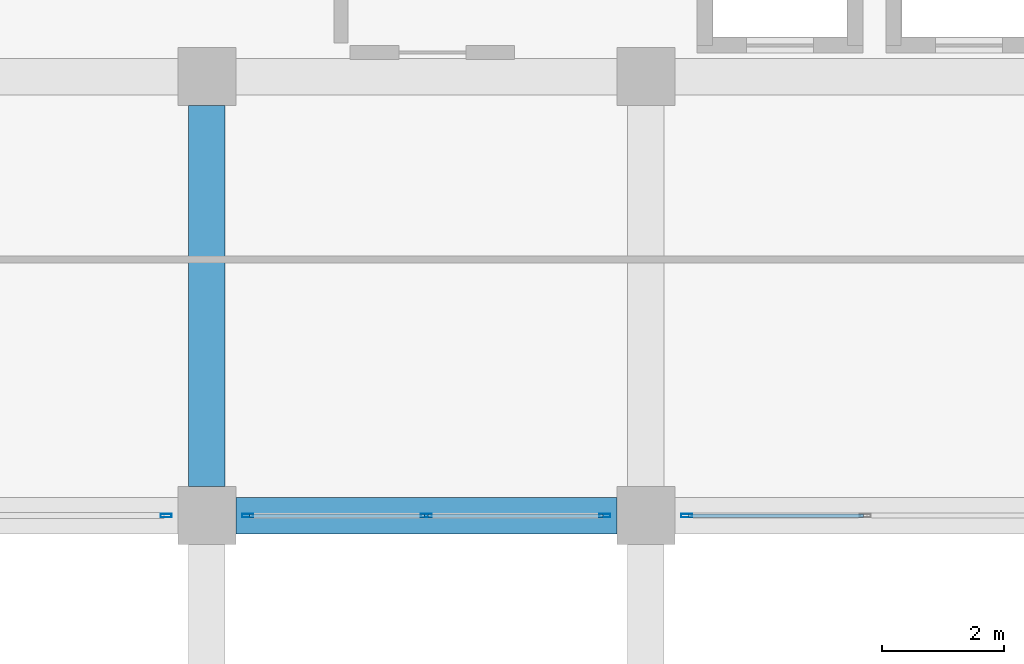
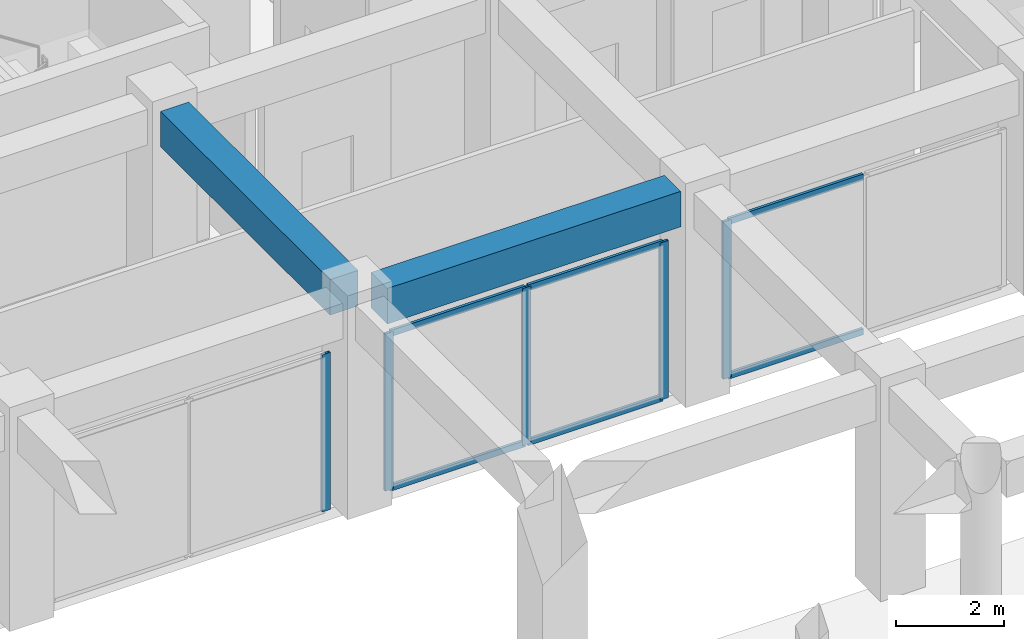
# One storey, part 10 of 54: 11 members, 2 beams, 3 elements without a shape of their own.
"""IFC4 building model written with IfcOpenShell, lengths in metres."""

from ifc_helpers import new_model, si_unit, direction, frame, origin, origin_2d, place, context, subcontext, project, spatial, rectangle, hollow_rectangle, extrude, material, material_profile, profile_set, type_object, element, aggregate, save


model = new_model("IFC4")

# Units and contexts
model_context = context("Model", 3, precision=1e-05, world=origin(), true_north=direction((0.0, 1.0)))
body_context = subcontext(model_context, "Body", "Model", "MODEL_VIEW")
ifc_project = project(units=[si_unit("LENGTHUNIT", "METRE"), si_unit("AREAUNIT", "SQUARE_METRE"), si_unit("VOLUMEUNIT", "CUBIC_METRE"), si_unit("PLANEANGLEUNIT", "RADIAN"), si_unit("MASSUNIT", "GRAM", prefix="KILO")], contexts=[model_context])

# Site, building, storey
site_placement = place(None, origin())
site = spatial("IfcSite", under=ifc_project, at=site_placement, CompositionType="ELEMENT")
building_placement = place(site_placement, origin())
building = spatial("IfcBuilding", under=site, at=building_placement, Name="Kazehaya Institute of Natural Sciences", CompositionType="ELEMENT")
storey_placement = place(building_placement, frame((0.0, 0.0, 5.39990234375)))
storey = spatial("IfcBuildingStorey", under=building, at=storey_placement, Name="L01", CompositionType="ELEMENT", Elevation=5.39990234375)

# Beams
ifc_material_1 = material(Name="Concrete Fc36", Category="concrete")
ifc_material_profile_1 = material_profile(ifc_material_1, rectangle(XDim=0.60009765625, YDim=0.800048828125, at=origin_2d()), Name="RC-600x800")
ifc_profile_set_1 = profile_set([ifc_material_profile_1], Name="Concrete Fc36")
beam_type = type_object("IfcBeamType", Name="BM-G-600x800", PredefinedType="BEAM", material=ifc_profile_set_1)
for number, where, z_axis, x_axis, name in (
    (1, (69.47509765625, 14.0, 4.3701171875), (1.0, 0.0, 0.0), (0.0, 1.0, 0.0), "L01 primary X girder BMX-L01-690-140"),
    (2, (69.0, 14.47509765625, 4.3701171875), (0.0, 1.0, 0.0), (-1.0, 0.0, 0.0), "L01 primary Y girder BMY-L01-690-140"),
):
    element("IfcBeam", number, at=place(storey_placement, frame(where, z_axis=z_axis, x_axis=x_axis)), inside=storey, type_object=beam_type, Name=name, PredefinedType="BEAM", context=body_context, shape_type="SweptSolid", body=[
        extrude(rectangle(XDim=0.60009765625, YDim=0.800048828125, at=origin_2d()), origin(), (0.0, 0.0, 1.0), 6.25),
    ])

# Curtain wall, member
ifc_material_2 = material(Name="Aluminium alloy A6063S-T5", Category="aluminium")
curtain_wall_type = type_object("IfcCurtainWallType", Name="CW-SYS-02", PredefinedType="NOTDEFINED", material=ifc_material_2)
curtain_wall_1_placement = place(storey_placement, origin())
curtain_wall_1 = element("IfcCurtainWall", 3, at=curtain_wall_1_placement, inside=storey, type_object=curtain_wall_type, Name="L01 unitised curtain wall CW-L01-044", PredefinedType="NOTDEFINED")
ifc_material_profile_2 = material_profile(ifc_material_2, hollow_rectangle(XDim=0.06005859375, YDim=0.179931640625, WallThickness=0.00390625, at=origin_2d()), Name="ALU-60x180x4")
ifc_profile_set_2 = profile_set([ifc_material_profile_2], Name="Aluminium alloy A6063S-T5")
member_type_1 = type_object("IfcMemberType", Name="CWM-180", PredefinedType="MULLION", material=ifc_profile_set_2)
member_1_placement = place(storey_placement, frame((76.8701171875, 14.0, 0.0), z_axis=(0.0, 0.0, 1.0), x_axis=(0.0, -1.0, 0.0)))
member_1 = element("IfcMember", 4, at=member_1_placement, type_object=member_type_1, Name="CW02 mullion 3", PredefinedType="MULLION", context=body_context, shape_type="SweptSolid", body=[
    extrude(hollow_rectangle(XDim=0.06005859375, YDim=0.179931640625, WallThickness=0.00390625, at=origin_2d()), origin(), (0.0, 0.0, 1.0), 3.5400390625),
])

# Curtain wall, members
curtain_wall_2_placement = place(storey_placement, origin())
curtain_wall_2 = element("IfcCurtainWall", 5, at=curtain_wall_2_placement, inside=storey, type_object=curtain_wall_type, Name="L01 unitised curtain wall CW-L01-045", PredefinedType="NOTDEFINED")
member_2_placement = place(storey_placement, frame((75.530029296875, 14.0, 0.0), z_axis=(0.0, 0.0, 1.0), x_axis=(0.0, -1.0, 0.0)))
member_2 = element("IfcMember", 6, at=member_2_placement, type_object=member_type_1, Name="CW02 mullion 1", PredefinedType="MULLION", context=body_context, shape_type="SweptSolid", body=[
    extrude(hollow_rectangle(XDim=0.06005859375, YDim=0.179931640625, WallThickness=0.00390625, at=origin_2d()), origin(), (0.0, 0.0, 1.0), 3.5400390625),
])
member_3_placement = place(storey_placement, frame((72.60009765625, 14.0, 0.0), z_axis=(0.0, 0.0, 1.0), x_axis=(0.0, -1.0, 0.0)))
member_3 = element("IfcMember", 7, at=member_3_placement, type_object=member_type_1, Name="CW02 mullion 2", PredefinedType="MULLION", context=body_context, shape_type="SweptSolid", body=[
    extrude(hollow_rectangle(XDim=0.06005859375, YDim=0.179931640625, WallThickness=0.00390625, at=origin_2d()), origin(), (0.0, 0.0, 1.0), 3.5400390625),
])
member_4_placement = place(storey_placement, frame((69.669921875, 14.0, 0.0), z_axis=(0.0, 0.0, 1.0), x_axis=(0.0, -1.0, 0.0)))
member_4 = element("IfcMember", 8, at=member_4_placement, type_object=member_type_1, Name="CW02 mullion 3", PredefinedType="MULLION", context=body_context, shape_type="SweptSolid", body=[
    extrude(hollow_rectangle(XDim=0.06005859375, YDim=0.179931640625, WallThickness=0.00390625, at=origin_2d()), origin(), (0.0, 0.0, 1.0), 3.5400390625),
])

# Curtain wall, member
curtain_wall_3_placement = place(storey_placement, origin())
curtain_wall_3 = element("IfcCurtainWall", 9, at=curtain_wall_3_placement, inside=storey, type_object=curtain_wall_type, Name="L01 unitised curtain wall CW-L01-046", PredefinedType="NOTDEFINED")
member_5_placement = place(storey_placement, frame((68.330078125, 14.0, 0.0), z_axis=(0.0, 0.0, 1.0), x_axis=(0.0, -1.0, 0.0)))
member_5 = element("IfcMember", 10, at=member_5_placement, type_object=member_type_1, Name="CW02 mullion 1", PredefinedType="MULLION", context=body_context, shape_type="SweptSolid", body=[
    extrude(hollow_rectangle(XDim=0.06005859375, YDim=0.179931640625, WallThickness=0.00390625, at=origin_2d()), origin(), (0.0, 0.0, 1.0), 3.5400390625),
])
aggregate(curtain_wall_3, [member_5])

# Member
ifc_material_profile_3 = material_profile(ifc_material_2, hollow_rectangle(XDim=0.06005859375, YDim=0.139892578125, WallThickness=0.00341796875, at=origin_2d()), Name="ALU-60x140x3.5")
ifc_profile_set_3 = profile_set([ifc_material_profile_3], Name="Aluminium alloy A6063S-T5")
member_type_2 = type_object("IfcMemberType", Name="CWT-140", PredefinedType="USERDEFINED", material=ifc_profile_set_3)
member_6_placement = place(storey_placement, frame((79.77001953125, 14.0, 0.030029296875), z_axis=(-1.0, 0.0, 0.0), x_axis=(0.0, -1.0, 0.0)))
member_6 = element("IfcMember", 11, at=member_6_placement, type_object=member_type_2, Name="CW02 transom 2.1", ObjectType="TRANSOM", PredefinedType="USERDEFINED", context=body_context, shape_type="SweptSolid", body=[
    extrude(hollow_rectangle(XDim=0.06005859375, YDim=0.139892578125, WallThickness=0.00341796875, at=origin_2d()), origin(), (0.0, 0.0, 1.0), 2.8701171875),
])

member_7_placement = place(storey_placement, frame((79.77001953125, 14.0, 3.510009765625), z_axis=(-1.0, 0.0, 0.0), x_axis=(0.0, -1.0, 0.0)))
member_7 = element("IfcMember", 12, at=member_7_placement, type_object=member_type_2, Name="CW02 transom 2.2", ObjectType="TRANSOM", PredefinedType="USERDEFINED", context=body_context, shape_type="SweptSolid", body=[
    extrude(hollow_rectangle(XDim=0.06005859375, YDim=0.139892578125, WallThickness=0.00341796875, at=origin_2d()), origin(), (0.0, 0.0, 1.0), 2.8701171875),
])

aggregate(curtain_wall_1, [member_1, member_6, member_7])

member_8_placement = place(storey_placement, frame((75.5, 14.0, 0.030029296875), z_axis=(-1.0, 0.0, 0.0), x_axis=(0.0, -1.0, 0.0)))
member_8 = element("IfcMember", 13, at=member_8_placement, type_object=member_type_2, Name="CW02 transom 1.1", ObjectType="TRANSOM", PredefinedType="USERDEFINED", context=body_context, shape_type="SweptSolid", body=[
    extrude(hollow_rectangle(XDim=0.06005859375, YDim=0.139892578125, WallThickness=0.00341796875, at=origin_2d()), origin(), (0.0, 0.0, 1.0), 2.8701171875),
])

member_9_placement = place(storey_placement, frame((75.5, 14.0, 3.510009765625), z_axis=(-1.0, 0.0, 0.0), x_axis=(0.0, -1.0, 0.0)))
member_9 = element("IfcMember", 14, at=member_9_placement, type_object=member_type_2, Name="CW02 transom 1.2", ObjectType="TRANSOM", PredefinedType="USERDEFINED", context=body_context, shape_type="SweptSolid", body=[
    extrude(hollow_rectangle(XDim=0.06005859375, YDim=0.139892578125, WallThickness=0.00341796875, at=origin_2d()), origin(), (0.0, 0.0, 1.0), 2.8701171875),
])

member_10_placement = place(storey_placement, frame((72.570068359375, 14.0, 0.030029296875), z_axis=(-1.0, 0.0, 0.0), x_axis=(0.0, -1.0, 0.0)))
member_10 = element("IfcMember", 15, at=member_10_placement, type_object=member_type_2, Name="CW02 transom 2.1", ObjectType="TRANSOM", PredefinedType="USERDEFINED", context=body_context, shape_type="SweptSolid", body=[
    extrude(hollow_rectangle(XDim=0.06005859375, YDim=0.139892578125, WallThickness=0.00341796875, at=origin_2d()), origin(), (0.0, 0.0, 1.0), 2.8701171875),
])

member_11_placement = place(storey_placement, frame((72.570068359375, 14.0, 3.510009765625), z_axis=(-1.0, 0.0, 0.0), x_axis=(0.0, -1.0, 0.0)))
member_11 = element("IfcMember", 16, at=member_11_placement, type_object=member_type_2, Name="CW02 transom 2.2", ObjectType="TRANSOM", PredefinedType="USERDEFINED", context=body_context, shape_type="SweptSolid", body=[
    extrude(hollow_rectangle(XDim=0.06005859375, YDim=0.139892578125, WallThickness=0.00341796875, at=origin_2d()), origin(), (0.0, 0.0, 1.0), 2.8701171875),
])

aggregate(curtain_wall_2, [member_2, member_3, member_4, member_8, member_9, member_10, member_11])

save(model, "model.ifc")
